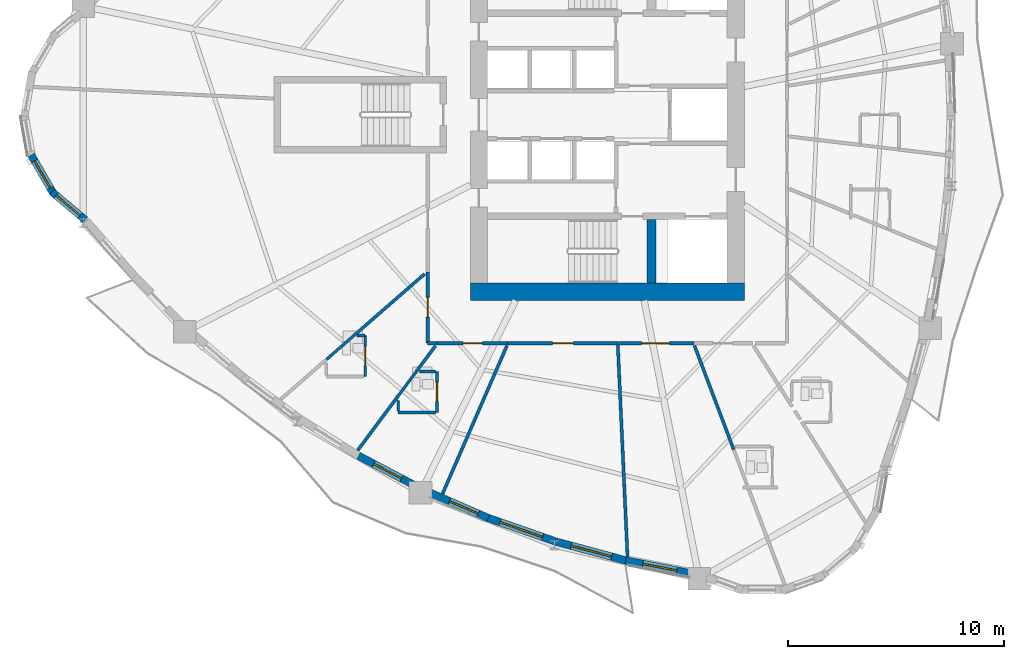
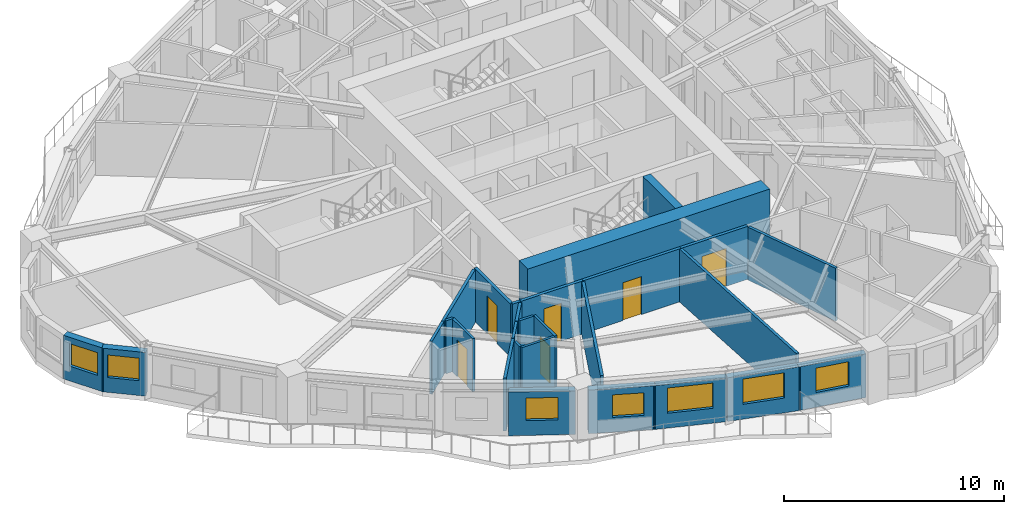
# One storey, part 3 of 14: 28 walls, 7 windows, 6 doors, 13 openings.
"""IFC4 building model written with IfcOpenShell, lengths in metres."""

from ifc_helpers import new_model, si_unit, direction, frame, frame_2d, origin, place, context, subcontext, project, spatial, rectangle, extrude, source, transform, mapped, material, layer, layer_set, type_object, element, fill, save


model = new_model("IFC4")

# Units and contexts
model_context = context("Model", 3, precision=1e-05, world=origin(), true_north=direction((0.0, 1.0)))
body_context = subcontext(model_context, "Body", "Model", "MODEL_VIEW")
ifc_project = project(units=[si_unit("LENGTHUNIT", "METRE"), si_unit("AREAUNIT", "SQUARE_METRE"), si_unit("VOLUMEUNIT", "CUBIC_METRE"), si_unit("PLANEANGLEUNIT", "RADIAN"), si_unit("MASSUNIT", "GRAM", prefix="KILO")], contexts=[model_context])

# Site, building, storey
site_placement = place(None, origin())
site = spatial("IfcSite", under=ifc_project, at=site_placement, CompositionType="ELEMENT")
building_placement = place(site_placement, origin())
building = spatial("IfcBuilding", under=site, at=building_placement, Name="Qafzar Sky-Pleat Residences", CompositionType="ELEMENT")
storey_placement = place(building_placement, frame((0.0, 0.0, 43.0)))
storey = spatial("IfcBuildingStorey", under=building, at=storey_placement, Name="L12", CompositionType="ELEMENT", Elevation=43.0)

# Wall, opening, door
ifc_material_1 = material(Name="Acoustic gypsum plasterboard partition", Category="gypsum")
ifc_layer_1 = layer(ifc_material_1, 0.159912109375)
ifc_layer_set_1 = layer_set([ifc_layer_1], Name="Acoustic gypsum plasterboard partition")
wall_type_1 = type_object("IfcWallType", Name="PART-COR-160", PredefinedType="PARTITIONING", material=ifc_layer_set_1)
wall_1_placement = place(storey_placement, frame((30.84912109375, 15.419921875, 0.0), z_axis=(0.0, 0.0, 1.0), x_axis=(-1.0, 0.0, 0.0)))
wall_1 = element("IfcWall", 1, at=wall_1_placement, inside=storey, type_object=wall_type_1, Name="L12 Partition Wall PART-L12-PW-002", PredefinedType="PARTITIONING", context=body_context, shape_type="SweptSolid", body=[
    extrude(rectangle(XDim=5.114013671875, YDim=0.159912109375, at=frame_2d((2.55712890625, 0.0))), origin(), (0.0, 0.0, 1.0), 2.93994140625),
])
opening_1_placement = place(wall_1_placement, frame((2.075927734375, 0.0, 0.0)))
opening_1 = element("IfcOpeningElement", 2, at=opening_1_placement, cuts=wall_1, Name="Opening ID-06", PredefinedType="OPENING", context=body_context, shape_type="SweptSolid", body=[
    extrude(rectangle(XDim=0.9599609375, YDim=2.10009765625, at=frame_2d((0.47998046875, 1.050048828125))), frame((0.0, 0.08984375, 0.0), z_axis=(0.0, -1.0, 0.0), x_axis=(1.0, 0.0, 0.0)), (0.0, 0.0, 1.0), 0.179931640625),
])
ifc_material_2 = material(Name="Timber-faced fire door", Category="wood")
door_type_1 = type_object("IfcDoorType", Name="DR-STD-960", OperationType="NOTDEFINED", PredefinedType="DOOR", material=ifc_material_2)
shared_shape_1 = source(origin(), body_context, "Body", "SweptSolid", [
    extrude(rectangle(XDim=0.9599609375, YDim=2.10009765625, at=frame_2d((0.47998046875, 1.050048828125))), frame((0.0, 0.02490234375, 0.0), z_axis=(0.0, -1.0, 0.0), x_axis=(1.0, 0.0, 0.0)), (0.0, 0.0, 1.0), 0.050048828125),
])
door_1_placement = place(opening_1_placement, origin())
door_1 = element("IfcDoor", 3, at=door_1_placement, inside=storey, type_object=door_type_1, Name="L12 Reading Library Door", OperationType="SINGLE_SWING_LEFT", OverallHeight=2.10009765625, OverallWidth=0.9599609375, PredefinedType="DOOR", context=body_context, shape_type="MappedRepresentation", body=[
    mapped(shared_shape_1, transform((0.0, 0.0, 0.0), x_axis=(1.0, 0.0, 0.0), y_axis=(0.0, 1.0, 0.0), z_axis=(0.0, 0.0, 1.0), scale=1.0)),
])
fill(opening_1, door_1)

wall_2_placement = place(storey_placement, frame((34.361083984375, 15.419921875, 0.0), z_axis=(0.0, 0.0, 1.0), x_axis=(-1.0, 0.0, 0.0)))
wall_2 = element("IfcWall", 4, at=wall_2_placement, inside=storey, type_object=wall_type_1, Name="L12 Partition Wall PART-L12-PW-006", PredefinedType="PARTITIONING", context=body_context, shape_type="SweptSolid", body=[
    extrude(rectangle(XDim=3.4970703125, YDim=0.159912109375, at=frame_2d((1.74853515625, 0.0))), origin(), (0.0, 0.0, 1.0), 2.93994140625),
])
opening_2_placement = place(wall_2_placement, frame((1.12158203125, 0.0, 0.0)))
opening_2 = element("IfcOpeningElement", 5, at=opening_2_placement, cuts=wall_2, Name="Opening ID-05", PredefinedType="OPENING", context=body_context, shape_type="SweptSolid", body=[
    extrude(rectangle(XDim=1.300048828125, YDim=2.10009765625, at=frame_2d((0.64990234375, 1.050048828125))), frame((0.0, 0.08984375, 0.0), z_axis=(0.0, -1.0, 0.0), x_axis=(1.0, 0.0, 0.0)), (0.0, 0.0, 1.0), 0.179931640625),
])
door_type_2 = type_object("IfcDoorType", Name="DR-LNG-1300", OperationType="DOUBLE_DOOR_SINGLE_SWING", PredefinedType="DOOR", material=ifc_material_2)
shared_shape_2 = source(origin(), body_context, "Body", "SweptSolid", [
    extrude(rectangle(XDim=1.300048828125, YDim=2.10009765625, at=frame_2d((0.64990234375, 1.050048828125))), frame((0.0, 0.02490234375, 0.0), z_axis=(0.0, -1.0, 0.0), x_axis=(1.0, 0.0, 0.0)), (0.0, 0.0, 1.0), 0.050048828125),
])
door_2_placement = place(opening_2_placement, origin())
door_2 = element("IfcDoor", 6, at=door_2_placement, inside=storey, type_object=door_type_2, Name="L12 Co-Living Lounge Door", OperationType="DOUBLE_DOOR_SINGLE_SWING", OverallHeight=2.10009765625, OverallWidth=1.300048828125, PredefinedType="DOOR", context=body_context, shape_type="MappedRepresentation", body=[
    mapped(shared_shape_2, transform((0.0, 0.0, 0.0), x_axis=(1.0, 0.0, 0.0), y_axis=(0.0, 1.0, 0.0), z_axis=(0.0, 0.0, 1.0), scale=1.0)),
])
fill(opening_2, door_2)

wall_3_placement = place(storey_placement, frame((22.02001953125, 15.419921875, 0.0), z_axis=(0.0, 0.0, 1.0), x_axis=(0.0, 1.0, 0.0)))
wall_3 = element("IfcWall", 7, at=wall_3_placement, inside=storey, type_object=wall_type_1, Name="L12 Partition Wall PART-L12-PW-008", PredefinedType="PARTITIONING", context=body_context, shape_type="SweptSolid", body=[
    extrude(rectangle(XDim=3.287109375, YDim=0.159912109375, at=frame_2d((1.6435546875, 0.0))), origin(), (0.0, 0.0, 1.0), 2.93994140625),
])
opening_3_placement = place(wall_3_placement, frame((1.200927734375, 0.0, 0.0)))
opening_3 = element("IfcOpeningElement", 8, at=opening_3_placement, cuts=wall_3, Name="Opening ID-04", PredefinedType="OPENING", context=body_context, shape_type="SweptSolid", body=[
    extrude(rectangle(XDim=0.919921875, YDim=2.10009765625, at=frame_2d((0.4599609375, 1.050048828125))), frame((0.0, 0.08984375, 0.0), z_axis=(0.0, -1.0, 0.0), x_axis=(1.0, 0.0, 0.0)), (0.0, 0.0, 1.0), 0.179931640625),
])
door_type_3 = type_object("IfcDoorType", Name="DR-BED-920", OperationType="NOTDEFINED", PredefinedType="DOOR", material=ifc_material_2)
shared_shape_3 = source(origin(), body_context, "Body", "SweptSolid", [
    extrude(rectangle(XDim=0.919921875, YDim=2.10009765625, at=frame_2d((0.4599609375, 1.050048828125))), frame((0.0, 0.02490234375, 0.0), z_axis=(0.0, -1.0, 0.0), x_axis=(1.0, 0.0, 0.0)), (0.0, 0.0, 1.0), 0.050048828125),
])
door_3_placement = place(opening_3_placement, origin())
door_3 = element("IfcDoor", 9, at=door_3_placement, inside=storey, type_object=door_type_3, Name="L12 Co-Living Bedroom 1 Door", OperationType="SINGLE_SWING_LEFT", OverallHeight=2.10009765625, OverallWidth=0.919921875, PredefinedType="DOOR", context=body_context, shape_type="MappedRepresentation", body=[
    mapped(shared_shape_3, transform((0.0, 0.0, 0.0), x_axis=(1.0, 0.0, 0.0), y_axis=(0.0, 1.0, 0.0), z_axis=(0.0, 0.0, 1.0), scale=1.0)),
])
fill(opening_3, door_3)

wall_4_placement = place(storey_placement, frame((25.719970703125, 15.419921875, 0.0), z_axis=(0.0, 0.0, 1.0), x_axis=(-1.0, 0.0, 0.0)))
wall_4 = element("IfcWall", 10, at=wall_4_placement, inside=storey, type_object=wall_type_1, Name="L12 Partition Wall PART-L12-PW-009", PredefinedType="PARTITIONING", context=body_context, shape_type="SweptSolid", body=[
    extrude(rectangle(XDim=3.257080078125, YDim=0.159912109375, at=frame_2d((1.62841796875, 0.0))), origin(), (0.0, 0.0, 1.0), 2.93994140625),
])
opening_4_placement = place(wall_4_placement, frame((1.14306640625, 0.0, 0.0)))
opening_4 = element("IfcOpeningElement", 11, at=opening_4_placement, cuts=wall_4, Name="Opening ID-04", PredefinedType="OPENING", context=body_context, shape_type="SweptSolid", body=[
    extrude(rectangle(XDim=0.919921875, YDim=2.10009765625, at=frame_2d((0.4599609375, 1.050048828125))), frame((0.0, 0.08984375, 0.0), z_axis=(0.0, -1.0, 0.0), x_axis=(1.0, 0.0, 0.0)), (0.0, 0.0, 1.0), 0.179931640625),
])
door_4_placement = place(opening_4_placement, origin())
door_4 = element("IfcDoor", 12, at=door_4_placement, inside=storey, type_object=door_type_3, Name="L12 Co-Living Bedroom 2 Door", OperationType="SINGLE_SWING_RIGHT", OverallHeight=2.10009765625, OverallWidth=0.919921875, PredefinedType="DOOR", context=body_context, shape_type="MappedRepresentation", body=[
    mapped(shared_shape_3, transform((0.0, 0.0, 0.0), x_axis=(1.0, 0.0, 0.0), y_axis=(0.0, 1.0, 0.0), z_axis=(0.0, 0.0, 1.0), scale=1.0)),
])
fill(opening_4, door_4)

# Walls
wall_5_placement = place(storey_placement, frame((22.02001953125, 15.419921875, 0.0), z_axis=(0.0, 0.0, 1.0), x_axis=(1.0, 0.0, 0.0)))
element("IfcWall", 13, at=wall_5_placement, inside=storey, type_object=wall_type_1, Name="L12 Partition Wall PART-L12-PW-112", PredefinedType="PARTITIONING", context=body_context, shape_type="SweptSolid", body=[
    extrude(rectangle(XDim=0.427978515625, YDim=0.159912109375, at=frame_2d((0.2138671875, 0.0))), origin(), (0.0, 0.0, 1.0), 2.93994140625),
])
ifc_layer_2 = layer(ifc_material_1, 0.14501953125)
ifc_layer_set_2 = layer_set([ifc_layer_2], Name="Acoustic gypsum plasterboard partition")
wall_type_2 = type_object("IfcWallType", Name="PART-UNIT-145", PredefinedType="PARTITIONING", material=ifc_layer_set_2)
wall_6_placement = place(storey_placement, frame((30.838134765625, 15.32861328125, 0.0), z_axis=(0.0, 0.0, 1.0), x_axis=(0.045777414824, -0.998951664642, 0.0)))
element("IfcWall", 14, at=wall_6_placement, inside=storey, type_object=wall_type_2, Name="L12 Partition Wall PART-L12-PW-041", PredefinedType="PARTITIONING", context=body_context, shape_type="SweptSolid", body=[
    extrude(rectangle(XDim=9.82373046875, YDim=0.14501953125, at=frame_2d((4.911865234375, 0.0))), origin(), (0.0, 0.0, 1.0), 2.93994140625),
])
wall_7_placement = place(storey_placement, frame((22.71337890625, 8.428955078125, 0.0), z_axis=(0.0, 0.0, 1.0), x_axis=(0.398615352261, 0.917118204454, 0.0)))
element("IfcWall", 15, at=wall_7_placement, inside=storey, type_object=wall_type_2, Name="L12 Partition Wall PART-L12-PW-045", PredefinedType="PARTITIONING", context=body_context, shape_type="SweptSolid", body=[
    extrude(rectangle(XDim=7.49609375, YDim=0.14501953125, at=frame_2d((3.748046875, 0.0))), origin(), (0.0, 0.0, 1.0), 2.93994140625),
])
wall_8_placement = place(storey_placement, frame((34.3876953125, 15.306884765625, 0.0), z_axis=(0.0, 0.0, 1.0), x_axis=(0.353313944469, -0.935504813801, 0.0)))
element("IfcWall", 16, at=wall_8_placement, inside=storey, type_object=wall_type_2, Name="L12 Partition Wall PART-L12-PW-050", PredefinedType="PARTITIONING", context=body_context, shape_type="SweptSolid", body=[
    extrude(rectangle(XDim=5.152099609375, YDim=0.14501953125, at=frame_2d((2.576171875, 0.0))), origin(), (0.0, 0.0, 1.0), 2.93994140625),
])
wall_9_placement = place(storey_placement, frame((18.614013671875, 15.77392578125, 0.0), z_axis=(0.0, 0.0, 1.0), x_axis=(0.753902736672, 0.656986045239, 0.0)))
element("IfcWall", 17, at=wall_9_placement, inside=storey, type_object=wall_type_2, Name="L12 Partition Wall PART-L12-PW-052", PredefinedType="PARTITIONING", context=body_context, shape_type="SweptSolid", body=[
    extrude(rectangle(XDim=4.34033203125, YDim=0.14501953125, at=frame_2d((2.170166015625, 0.0))), origin(), (0.0, 0.0, 1.0), 2.93994140625),
])
wall_10_placement = place(storey_placement, frame((18.782958984375, 10.447021484375, 0.0), z_axis=(0.0, 0.0, 1.0), x_axis=(0.596791765516, 0.80239615441, 0.0)))
element("IfcWall", 18, at=wall_10_placement, inside=storey, type_object=wall_type_2, Name="L12 Partition Wall PART-L12-PW-061", PredefinedType="PARTITIONING", context=body_context, shape_type="SweptSolid", body=[
    extrude(rectangle(XDim=3.17041015625, YDim=0.14501953125, at=frame_2d((1.585205078125, 0.0))), origin(), (0.0, 0.0, 1.0), 2.93994140625),
])
wall_11_placement = place(storey_placement, frame((21.490966796875, 14.087890625, 0.0), z_axis=(0.0, 0.0, 1.0), x_axis=(0.596893728005, 0.802320308523, 0.0)))
element("IfcWall", 19, at=wall_11_placement, inside=storey, type_object=wall_type_2, Name="L12 Partition Wall PART-L12-PW-085", PredefinedType="PARTITIONING", context=body_context, shape_type="SweptSolid", body=[
    extrude(rectangle(XDim=1.49853515625, YDim=0.14501953125, at=frame_2d((0.749267578125, 0.0))), origin(), (0.0, 0.0, 1.0), 2.93994140625),
])

# Wall, opening, door
ifc_material_3 = material(Name="Moisture-resistant gypsum partition", Category="gypsum")
ifc_layer_3 = layer(ifc_material_3, 0.1298828125)
ifc_layer_set_3 = layer_set([ifc_layer_3], Name="Moisture-resistant gypsum partition")
wall_type_3 = type_object("IfcWallType", Name="PART-WET-130", PredefinedType="PARTITIONING", material=ifc_layer_set_3)
wall_12_placement = place(storey_placement, frame((22.4599609375, 12.202880859375, 0.0), z_axis=(0.0, 0.0, 1.0), x_axis=(0.0, 1.0, 0.0)))
wall_12 = element("IfcWall", 20, at=wall_12_placement, inside=storey, type_object=wall_type_3, Name="L12 Partition Wall PART-L12-PW-021", PredefinedType="PARTITIONING", context=body_context, shape_type="SweptSolid", body=[
    extrude(rectangle(XDim=1.900146484375, YDim=0.1298828125, at=frame_2d((0.9501953125, 0.0))), origin(), (0.0, 0.0, 1.0), 2.93994140625),
])
opening_5_placement = place(wall_12_placement, frame((0.510009765625, 0.0, 0.0)))
opening_5 = element("IfcOpeningElement", 21, at=opening_5_placement, cuts=wall_12, Name="Opening ID-07", PredefinedType="OPENING", context=body_context, shape_type="SweptSolid", body=[
    extrude(rectangle(XDim=0.8798828125, YDim=2.050048828125, at=frame_2d((0.43994140625, 1.02490234375))), frame((0.0, 0.074951171875, 0.0), z_axis=(0.0, -1.0, 0.0), x_axis=(1.0, 0.0, 0.0)), (0.0, 0.0, 1.0), 0.14990234375),
])
door_type_4 = type_object("IfcDoorType", Name="DR-WET-880", OperationType="NOTDEFINED", PredefinedType="DOOR", material=ifc_material_2)
shared_shape_4 = source(origin(), body_context, "Body", "SweptSolid", [
    extrude(rectangle(XDim=0.8798828125, YDim=2.050048828125, at=frame_2d((0.43994140625, 1.02490234375))), frame((0.0, 0.02490234375, 0.0), z_axis=(0.0, -1.0, 0.0), x_axis=(1.0, 0.0, 0.0)), (0.0, 0.0, 1.0), 0.050048828125),
])
door_5_placement = place(opening_5_placement, origin())
door_5 = element("IfcDoor", 22, at=door_5_placement, inside=storey, type_object=door_type_4, Name="L12 En-suite Bathroom 2 Door", OperationType="SINGLE_SWING_LEFT", OverallHeight=2.050048828125, OverallWidth=0.8798828125, PredefinedType="DOOR", context=body_context, shape_type="MappedRepresentation", body=[
    mapped(shared_shape_4, transform((0.0, 0.0, 0.0), x_axis=(1.0, 0.0, 0.0), y_axis=(0.0, 1.0, 0.0), z_axis=(0.0, 0.0, 1.0), scale=1.0)),
])
fill(opening_5, door_5)

wall_13_placement = place(storey_placement, frame((19.1298828125, 13.8740234375, 0.0), z_axis=(0.0, 0.0, 1.0), x_axis=(0.0, 1.0, 0.0)))
wall_13 = element("IfcWall", 23, at=wall_13_placement, inside=storey, type_object=wall_type_3, Name="L12 Partition Wall PART-L12-PW-024", PredefinedType="PARTITIONING", context=body_context, shape_type="SweptSolid", body=[
    extrude(rectangle(XDim=1.89990234375, YDim=0.1298828125, at=frame_2d((0.949951171875, 0.0))), origin(), (0.0, 0.0, 1.0), 2.93994140625),
])
opening_6_placement = place(wall_13_placement, frame((0.510009765625, 0.0, 0.0)))
opening_6 = element("IfcOpeningElement", 24, at=opening_6_placement, cuts=wall_13, Name="Opening ID-07", PredefinedType="OPENING", context=body_context, shape_type="SweptSolid", body=[
    extrude(rectangle(XDim=0.8798828125, YDim=2.050048828125, at=frame_2d((0.43994140625, 1.02490234375))), frame((0.0, 0.074951171875, 0.0), z_axis=(0.0, -1.0, 0.0), x_axis=(1.0, 0.0, 0.0)), (0.0, 0.0, 1.0), 0.14990234375),
])
door_6_placement = place(opening_6_placement, origin())
door_6 = element("IfcDoor", 25, at=door_6_placement, inside=storey, type_object=door_type_4, Name="L12 En-suite Bathroom 1 Door", OperationType="SINGLE_SWING_RIGHT", OverallHeight=2.050048828125, OverallWidth=0.8798828125, PredefinedType="DOOR", context=body_context, shape_type="MappedRepresentation", body=[
    mapped(shared_shape_4, transform((0.0, 0.0, 0.0), x_axis=(1.0, 0.0, 0.0), y_axis=(0.0, 1.0, 0.0), z_axis=(0.0, 0.0, 1.0), scale=1.0)),
])
fill(opening_6, door_6)

# Walls
wall_14_placement = place(storey_placement, frame((20.659912109375, 12.202880859375, 0.0), z_axis=(0.0, 0.0, 1.0), x_axis=(1.0, 0.0, 0.0)))
element("IfcWall", 26, at=wall_14_placement, inside=storey, type_object=wall_type_3, Name="L12 Partition Wall PART-L12-PW-078", PredefinedType="PARTITIONING", context=body_context, shape_type="SweptSolid", body=[
    extrude(rectangle(XDim=1.72705078125, YDim=0.1298828125, at=frame_2d((0.863525390625, 0.0))), origin(), (0.0, 0.0, 1.0), 2.93994140625),
])
wall_15_placement = place(storey_placement, frame((17.34130859375, 14.664794921875, 0.0), z_axis=(0.0, 0.0, 1.0), x_axis=(0.753885757535, 0.657005528581, 0.0)))
element("IfcWall", 27, at=wall_15_placement, inside=storey, type_object=wall_type_3, Name="L12 Partition Wall PART-L12-PW-083", PredefinedType="PARTITIONING", context=body_context, shape_type="SweptSolid", body=[
    extrude(rectangle(XDim=1.67333984375, YDim=0.1298828125, at=frame_2d((0.836669921875, 0.0))), origin(), (0.0, 0.0, 1.0), 2.93994140625),
])
wall_16_placement = place(storey_placement, frame((20.68408203125, 13.002685546875, 0.0), z_axis=(0.0, 0.0, 1.0), x_axis=(0.596518903615, 0.802599026681, 0.0)))
element("IfcWall", 28, at=wall_16_placement, inside=storey, type_object=wall_type_3, Name="L12 Partition Wall PART-L12-PW-091", PredefinedType="PARTITIONING", context=body_context, shape_type="SweptSolid", body=[
    extrude(rectangle(XDim=1.33740234375, YDim=0.1298828125, at=frame_2d((0.668701171875, 0.0))), origin(), (0.0, 0.0, 1.0), 2.93994140625),
])
wall_17_placement = place(storey_placement, frame((21.648681640625, 14.10302734375, 0.0), z_axis=(0.0, 0.0, 1.0), x_axis=(1.0, 0.0, 0.0)))
element("IfcWall", 29, at=wall_17_placement, inside=storey, type_object=wall_type_3, Name="L12 Partition Wall PART-L12-PW-102", PredefinedType="PARTITIONING", context=body_context, shape_type="SweptSolid", body=[
    extrude(rectangle(XDim=0.73828125, YDim=0.1298828125, at=frame_2d((0.369140625, 0.0))), origin(), (0.0, 0.0, 1.0), 2.93994140625),
])
wall_18_placement = place(storey_placement, frame((20.659912109375, 12.27587890625, 0.0), z_axis=(0.0, 0.0, 1.0), x_axis=(0.0, 1.0, 0.0)))
element("IfcWall", 30, at=wall_18_placement, inside=storey, type_object=wall_type_3, Name="L12 Partition Wall PART-L12-PW-107", PredefinedType="PARTITIONING", context=body_context, shape_type="SweptSolid", body=[
    extrude(rectangle(XDim=0.478271484375, YDim=0.1298828125, at=frame_2d((0.2392578125, 0.0))), origin(), (0.0, 0.0, 1.0), 2.93994140625),
])
wall_19_placement = place(storey_placement, frame((18.7490234375, 15.77392578125, 0.0), z_axis=(0.0, 0.0, 1.0), x_axis=(1.0, 0.0, 0.0)))
element("IfcWall", 31, at=wall_19_placement, inside=storey, type_object=wall_type_3, Name="L12 Partition Wall PART-L12-PW-109", PredefinedType="PARTITIONING", context=body_context, shape_type="SweptSolid", body=[
    extrude(rectangle(XDim=0.380859375, YDim=0.1298828125, at=frame_2d((0.1904296875, 0.0))), origin(), (0.0, 0.0, 1.0), 2.93994140625),
])

# Wall, opening, window
ifc_material_4 = material(Name="Precast concrete C40/50 with honed Riyadh limestone", Category="concrete")
ifc_layer_4 = layer(ifc_material_4, 0.35009765625)
ifc_layer_set_4 = layer_set([ifc_layer_4], Name="Precast concrete C40/50 with honed Riyadh limestone")
wall_type_4 = type_object("IfcWallType", Name="WALL-EXT-350", PredefinedType="SOLIDWALL", material=ifc_layer_set_4)
wall_20_placement = place(storey_placement, frame((3.6474609375, 24.13671875, 0.0), z_axis=(0.0, 0.0, 1.0), x_axis=(0.49990781971, -0.866078617559, 0.0)))
wall_20 = element("IfcWall", 32, at=wall_20_placement, inside=storey, type_object=wall_type_4, Name="L12 Limestone Facade Wall 5", PredefinedType="SOLIDWALL", context=body_context, shape_type="SweptSolid", body=[
    extrude(rectangle(XDim=2.09033203125, YDim=0.35009765625, at=frame_2d((1.045166015625, 0.0))), origin(), (0.0, 0.0, 1.0), 2.419921875),
])
opening_7_placement = place(wall_20_placement, frame((0.3203125, 0.0, 0.820068359375)))
opening_7 = element("IfcOpeningElement", 33, at=opening_7_placement, cuts=wall_20, Name="Opening WN-15", PredefinedType="OPENING", context=body_context, shape_type="SweptSolid", body=[
    extrude(rectangle(XDim=1.449951171875, YDim=1.25, at=frame_2d((0.72509765625, 0.625))), frame((0.0, 0.18505859375, 0.0), z_axis=(0.0, -1.0, 0.0), x_axis=(1.0, 0.0, 0.0)), (0.0, 0.0, 1.0), 0.3701171875),
])
ifc_material_5 = material(Name="Solar-control low-E glass in bronze aluminium frame", Category="glass")
window_type_1 = type_object("IfcWindowType", Name="WIN-15", PartitioningType="SINGLE_PANEL", PredefinedType="WINDOW", material=ifc_material_5)
shared_shape_5 = source(origin(), body_context, "Body", "SweptSolid", [
    extrude(rectangle(XDim=1.449951171875, YDim=1.25, at=frame_2d((0.72509765625, 0.625))), frame((0.0, 0.030029296875, 0.0), z_axis=(0.0, -1.0, 0.0), x_axis=(1.0, 0.0, 0.0)), (0.0, 0.0, 1.0), 0.06005859375),
])
window_1_placement = place(opening_7_placement, origin())
window_1 = element("IfcWindow", 34, at=window_1_placement, inside=storey, type_object=window_type_1, Name="L12 Punched Facade Window 05", OverallHeight=1.25, OverallWidth=1.449951171875, PartitioningType="SINGLE_PANEL", PredefinedType="WINDOW", context=body_context, shape_type="MappedRepresentation", body=[
    mapped(shared_shape_5, transform((0.0, 0.0, 0.0), x_axis=(1.0, 0.0, 0.0), y_axis=(0.0, 1.0, 0.0), z_axis=(0.0, 0.0, 1.0), scale=1.0)),
])
fill(opening_7, window_1)

wall_21_placement = place(storey_placement, frame((4.605224609375, 22.430419921875, 0.0), z_axis=(0.0, 0.0, 1.0), x_axis=(0.766040796373, -0.642791955684, 0.0)))
wall_21 = element("IfcWall", 35, at=wall_21_placement, inside=storey, type_object=wall_type_4, Name="L12 Limestone Facade Wall 6", PredefinedType="SOLIDWALL", context=body_context, shape_type="SweptSolid", body=[
    extrude(rectangle(XDim=2.032470703125, YDim=0.35009765625, at=frame_2d((1.01611328125, 0.0))), origin(), (0.0, 0.0, 1.0), 2.419921875),
])
opening_8_placement = place(wall_21_placement, frame((0.26123046875, 0.0, 0.820068359375)))
opening_8 = element("IfcOpeningElement", 36, at=opening_8_placement, cuts=wall_21, Name="Opening WN-15", PredefinedType="OPENING", context=body_context, shape_type="SweptSolid", body=[
    extrude(rectangle(XDim=1.449951171875, YDim=1.25, at=frame_2d((0.72509765625, 0.625))), frame((0.0, 0.18505859375, 0.0), z_axis=(0.0, -1.0, 0.0), x_axis=(1.0, 0.0, 0.0)), (0.0, 0.0, 1.0), 0.3701171875),
])
window_2_placement = place(opening_8_placement, origin())
window_2 = element("IfcWindow", 37, at=window_2_placement, inside=storey, type_object=window_type_1, Name="L12 Punched Facade Window 06", OverallHeight=1.25, OverallWidth=1.449951171875, PartitioningType="SINGLE_PANEL", PredefinedType="WINDOW", context=body_context, shape_type="MappedRepresentation", body=[
    mapped(shared_shape_5, transform((0.0, 0.0, 0.0), x_axis=(1.0, 0.0, 0.0), y_axis=(0.0, 1.0, 0.0), z_axis=(0.0, 0.0, 1.0), scale=1.0)),
])
fill(opening_8, window_2)

wall_22_placement = place(storey_placement, frame((18.8232421875, 10.194580078125, 0.0), z_axis=(0.0, 0.0, 1.0), x_axis=(0.884422538795, -0.466687018108, 0.0)))
wall_22 = element("IfcWall", 38, at=wall_22_placement, inside=storey, type_object=wall_type_4, Name="L12 Limestone Facade Wall 12", PredefinedType="SOLIDWALL", context=body_context, shape_type="SweptSolid", body=[
    extrude(rectangle(XDim=3.037353515625, YDim=0.35009765625, at=frame_2d((1.5185546875, 0.0))), origin(), (0.0, 0.0, 1.0), 2.419921875),
])
opening_9_placement = place(wall_22_placement, frame((0.798583984375, 0.0, 0.820068359375)))
opening_9 = element("IfcOpeningElement", 39, at=opening_9_placement, cuts=wall_22, Name="Opening WN-15", PredefinedType="OPENING", context=body_context, shape_type="SweptSolid", body=[
    extrude(rectangle(XDim=1.449951171875, YDim=1.25, at=frame_2d((0.72509765625, 0.625))), frame((0.0, 0.18505859375, 0.0), z_axis=(0.0, -1.0, 0.0), x_axis=(1.0, 0.0, 0.0)), (0.0, 0.0, 1.0), 0.3701171875),
])
window_3_placement = place(opening_9_placement, origin())
window_3 = element("IfcWindow", 40, at=window_3_placement, inside=storey, type_object=window_type_1, Name="L12 Punched Facade Window 12", OverallHeight=1.25, OverallWidth=1.449951171875, PartitioningType="SINGLE_PANEL", PredefinedType="WINDOW", context=body_context, shape_type="MappedRepresentation", body=[
    mapped(shared_shape_5, transform((0.0, 0.0, 0.0), x_axis=(1.0, 0.0, 0.0), y_axis=(0.0, 1.0, 0.0), z_axis=(0.0, 0.0, 1.0), scale=1.0)),
])
fill(opening_9, window_3)

wall_23_placement = place(storey_placement, frame((22.0380859375, 8.523193359375, 0.0), z_axis=(0.0, 0.0, 1.0), x_axis=(0.91704973522, -0.398772846535, 0.0)))
wall_23 = element("IfcWall", 41, at=wall_23_placement, inside=storey, type_object=wall_type_4, Name="L12 Limestone Facade Wall 13", PredefinedType="SOLIDWALL", context=body_context, shape_type="SweptSolid", body=[
    extrude(rectangle(XDim=3.05615234375, YDim=0.35009765625, at=frame_2d((1.528076171875, 0.0))), origin(), (0.0, 0.0, 1.0), 2.419921875),
])
opening_10_placement = place(wall_23_placement, frame((1.091796875, 0.0, 0.820068359375)))
opening_10 = element("IfcOpeningElement", 42, at=opening_10_placement, cuts=wall_23, Name="Opening WN-15", PredefinedType="OPENING", context=body_context, shape_type="SweptSolid", body=[
    extrude(rectangle(XDim=1.449951171875, YDim=1.25, at=frame_2d((0.72509765625, 0.625))), frame((0.0, 0.18505859375, 0.0), z_axis=(0.0, -1.0, 0.0), x_axis=(1.0, 0.0, 0.0)), (0.0, 0.0, 1.0), 0.3701171875),
])
window_4_placement = place(opening_10_placement, origin())
window_4 = element("IfcWindow", 43, at=window_4_placement, inside=storey, type_object=window_type_1, Name="L12 Punched Facade Window 13-2", OverallHeight=1.25, OverallWidth=1.449951171875, PartitioningType="SINGLE_PANEL", PredefinedType="WINDOW", context=body_context, shape_type="MappedRepresentation", body=[
    mapped(shared_shape_5, transform((0.0, 0.0, 0.0), x_axis=(1.0, 0.0, 0.0), y_axis=(0.0, 1.0, 0.0), z_axis=(0.0, 0.0, 1.0), scale=1.0)),
])
fill(opening_10, window_4)

wall_24_placement = place(storey_placement, frame((24.758056640625, 7.3369140625, 0.0), z_axis=(0.0, 0.0, 1.0), x_axis=(0.944146789085, -0.329525174547, 0.0)))
wall_24 = element("IfcWall", 44, at=wall_24_placement, inside=storey, type_object=wall_type_4, Name="L12 Limestone Facade Wall 14", PredefinedType="SOLIDWALL", context=body_context, shape_type="SweptSolid", body=[
    extrude(rectangle(XDim=3.3740234375, YDim=0.35009765625, at=frame_2d((1.68701171875, 0.0))), origin(), (0.0, 0.0, 1.0), 2.419921875),
])
opening_11_placement = place(wall_24_placement, frame((0.64697265625, 0.0, 0.820068359375)))
opening_11 = element("IfcOpeningElement", 45, at=opening_11_placement, cuts=wall_24, Name="Opening WN-07", PredefinedType="OPENING", context=body_context, shape_type="SweptSolid", body=[
    extrude(rectangle(XDim=2.10009765625, YDim=1.39990234375, at=frame_2d((1.050048828125, 0.699951171875))), frame((0.0, 0.18505859375, 0.0), z_axis=(0.0, -1.0, 0.0), x_axis=(1.0, 0.0, 0.0)), (0.0, 0.0, 1.0), 0.3701171875),
])
window_type_2 = type_object("IfcWindowType", Name="WIN-07", PartitioningType="DOUBLE_PANEL_VERTICAL", PredefinedType="WINDOW", material=ifc_material_5)
shared_shape_6 = source(origin(), body_context, "Body", "SweptSolid", [
    extrude(rectangle(XDim=2.10009765625, YDim=1.39990234375, at=frame_2d((1.050048828125, 0.699951171875))), frame((0.0, 0.030029296875, 0.0), z_axis=(0.0, -1.0, 0.0), x_axis=(1.0, 0.0, 0.0)), (0.0, 0.0, 1.0), 0.06005859375),
])
window_5_placement = place(opening_11_placement, origin())
window_5 = element("IfcWindow", 46, at=window_5_placement, inside=storey, type_object=window_type_2, Name="L12 Punched Facade Window 14", OverallHeight=1.39990234375, OverallWidth=2.10009765625, PartitioningType="SINGLE_PANEL", PredefinedType="WINDOW", context=body_context, shape_type="MappedRepresentation", body=[
    mapped(shared_shape_6, transform((0.0, 0.0, 0.0), x_axis=(1.0, 0.0, 0.0), y_axis=(0.0, 1.0, 0.0), z_axis=(0.0, 0.0, 1.0), scale=1.0)),
])
fill(opening_11, window_5)

wall_25_placement = place(storey_placement, frame((27.969482421875, 6.216796875, 0.0), z_axis=(0.0, 0.0, 1.0), x_axis=(0.965465079887, -0.26053249225, 0.0)))
wall_25 = element("IfcWall", 47, at=wall_25_placement, inside=storey, type_object=wall_type_4, Name="L12 Limestone Facade Wall 15", PredefinedType="SOLIDWALL", context=body_context, shape_type="SweptSolid", body=[
    extrude(rectangle(XDim=3.4296875, YDim=0.35009765625, at=frame_2d((1.71484375, 0.0))), origin(), (0.0, 0.0, 1.0), 2.419921875),
])
opening_12_placement = place(wall_25_placement, frame((0.729736328125, 0.0, 0.820068359375)))
opening_12 = element("IfcOpeningElement", 48, at=opening_12_placement, cuts=wall_25, Name="Opening WN-08", PredefinedType="OPENING", context=body_context, shape_type="SweptSolid", body=[
    extrude(rectangle(XDim=1.949951171875, YDim=1.39990234375, at=frame_2d((0.97509765625, 0.699951171875))), frame((0.0, 0.18505859375, 0.0), z_axis=(0.0, -1.0, 0.0), x_axis=(1.0, 0.0, 0.0)), (0.0, 0.0, 1.0), 0.3701171875),
])
window_type_3 = type_object("IfcWindowType", Name="WIN-08", PartitioningType="DOUBLE_PANEL_VERTICAL", PredefinedType="WINDOW", material=ifc_material_5)
shared_shape_7 = source(origin(), body_context, "Body", "SweptSolid", [
    extrude(rectangle(XDim=1.949951171875, YDim=1.39990234375, at=frame_2d((0.97509765625, 0.699951171875))), frame((0.0, 0.030029296875, 0.0), z_axis=(0.0, -1.0, 0.0), x_axis=(1.0, 0.0, 0.0)), (0.0, 0.0, 1.0), 0.06005859375),
])
window_6_placement = place(opening_12_placement, origin())
window_6 = element("IfcWindow", 49, at=window_6_placement, inside=storey, type_object=window_type_3, Name="L12 Punched Facade Window 15", OverallHeight=1.39990234375, OverallWidth=1.949951171875, PartitioningType="SINGLE_PANEL", PredefinedType="WINDOW", context=body_context, shape_type="MappedRepresentation", body=[
    mapped(shared_shape_7, transform((0.0, 0.0, 0.0), x_axis=(1.0, 0.0, 0.0), y_axis=(0.0, 1.0, 0.0), z_axis=(0.0, 0.0, 1.0), scale=1.0)),
])
fill(opening_12, window_6)

wall_26_placement = place(storey_placement, frame((31.195068359375, 5.34326171875, 0.0), z_axis=(0.0, 0.0, 1.0), x_axis=(0.981233720322, -0.192822161858, 0.0)))
wall_26 = element("IfcWall", 50, at=wall_26_placement, inside=storey, type_object=wall_type_4, Name="L12 Limestone Facade Wall 16", PredefinedType="SOLIDWALL", context=body_context, shape_type="SweptSolid", body=[
    extrude(rectangle(XDim=3.222412109375, YDim=0.35009765625, at=frame_2d((1.611328125, 0.0))), origin(), (0.0, 0.0, 1.0), 2.419921875),
])
opening_13_placement = place(wall_26_placement, frame((0.816162109375, 0.0, 0.820068359375)))
opening_13 = element("IfcOpeningElement", 51, at=opening_13_placement, cuts=wall_26, Name="Opening WN-09", PredefinedType="OPENING", context=body_context, shape_type="SweptSolid", body=[
    extrude(rectangle(XDim=1.60009765625, YDim=1.35009765625, at=frame_2d((0.800048828125, 0.675048828125))), frame((0.0, 0.18505859375, 0.0), z_axis=(0.0, -1.0, 0.0), x_axis=(1.0, 0.0, 0.0)), (0.0, 0.0, 1.0), 0.3701171875),
])
window_type_4 = type_object("IfcWindowType", Name="WIN-09", PartitioningType="DOUBLE_PANEL_VERTICAL", PredefinedType="WINDOW", material=ifc_material_5)
shared_shape_8 = source(origin(), body_context, "Body", "SweptSolid", [
    extrude(rectangle(XDim=1.60009765625, YDim=1.35009765625, at=frame_2d((0.800048828125, 0.675048828125))), frame((0.0, 0.030029296875, 0.0), z_axis=(0.0, -1.0, 0.0), x_axis=(1.0, 0.0, 0.0)), (0.0, 0.0, 1.0), 0.06005859375),
])
window_7_placement = place(opening_13_placement, origin())
window_7 = element("IfcWindow", 52, at=window_7_placement, inside=storey, type_object=window_type_4, Name="L12 Punched Facade Window 16", OverallHeight=1.35009765625, OverallWidth=1.60009765625, PartitioningType="SINGLE_PANEL", PredefinedType="WINDOW", context=body_context, shape_type="MappedRepresentation", body=[
    mapped(shared_shape_8, transform((0.0, 0.0, 0.0), x_axis=(1.0, 0.0, 0.0), y_axis=(0.0, 1.0, 0.0), z_axis=(0.0, 0.0, 1.0), scale=1.0)),
])
fill(opening_13, window_7)

# Walls
ifc_material_6 = material(Name="Concrete C60/75", Category="concrete")
ifc_layer_5 = layer(ifc_material_6, 0.39990234375)
ifc_layer_set_5 = layer_set([ifc_layer_5], Name="Concrete C60/75")
wall_type_5 = type_object("IfcWallType", Name="WALL-SHEAR-400", PredefinedType="SHEAR", material=ifc_layer_set_5)
wall_27_placement = place(storey_placement, frame((32.39990234375, 18.199951171875, 0.0), z_axis=(0.0, 0.0, 1.0), x_axis=(0.0, 1.0, 0.0)))
element("IfcWall", 53, at=wall_27_placement, inside=storey, type_object=wall_type_5, Name="L12 Stair ST1 East Dividing Wall", PredefinedType="SHEAR", context=body_context, shape_type="SweptSolid", body=[
    extrude(rectangle(XDim=2.949951171875, YDim=0.39990234375, at=frame_2d((1.47509765625, 0.0))), origin(), (0.0, 0.0, 1.0), 2.93994140625),
])
ifc_layer_6 = layer(ifc_material_6, 0.800048828125)
ifc_layer_set_6 = layer_set([ifc_layer_6], Name="Concrete C60/75")
wall_type_6 = type_object("IfcWallType", Name="WALL-SHEAR-800", PredefinedType="SHEAR", material=ifc_layer_set_6)
wall_28_placement = place(storey_placement, frame((24.0, 17.800048828125, 0.0), z_axis=(0.0, 0.0, 1.0), x_axis=(1.0, 0.0, 0.0)))
element("IfcWall", 54, at=wall_28_placement, inside=storey, type_object=wall_type_6, Name="L12 CORE wall S", PredefinedType="SHEAR", context=body_context, shape_type="SweptSolid", body=[
    extrude(rectangle(XDim=12.699951171875, YDim=0.800048828125, at=frame_2d((6.35009765625, 0.0))), origin(), (0.0, 0.0, 1.0), 2.93994140625),
])

save(model, "model.ifc")
